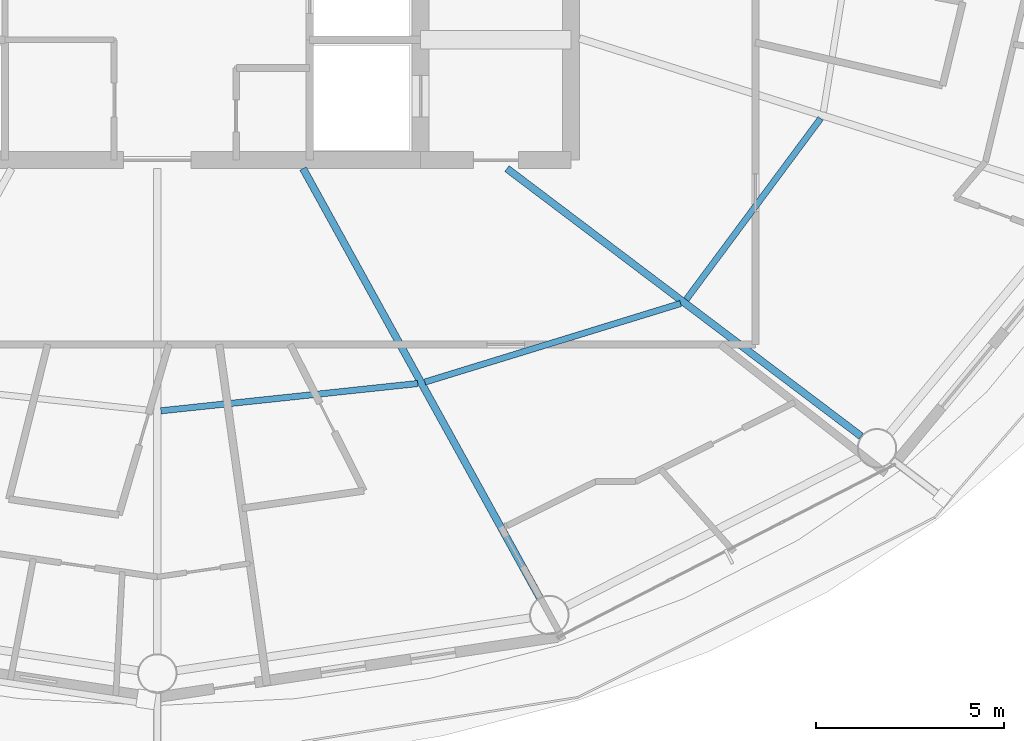
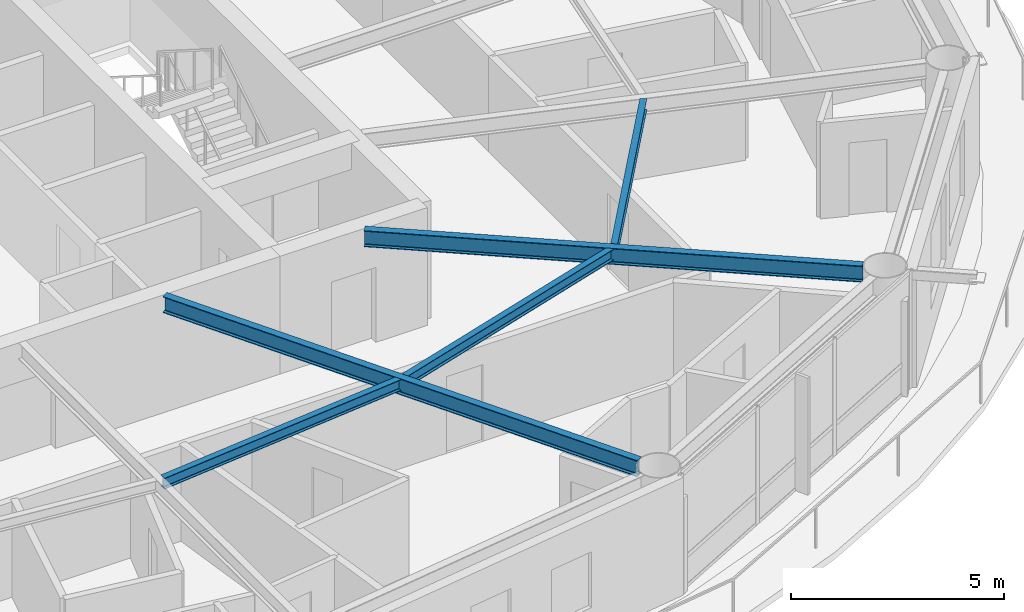
# One storey, part 6 of 29: 5 beams.
"""IFC4 building model written with IfcOpenShell, lengths in metres."""

from ifc_helpers import new_model, si_unit, direction, frame, origin, origin_2d, place, context, subcontext, project, spatial, i_section, extrude, material, material_profile, profile_set, type_object, element, save


model = new_model("IFC4")

# Units and contexts
model_context = context("Model", 3, precision=1e-05, world=origin(), true_north=direction((0.0, 1.0)))
body_context = subcontext(model_context, "Body", "Model", "MODEL_VIEW")
ifc_project = project(units=[si_unit("LENGTHUNIT", "METRE"), si_unit("AREAUNIT", "SQUARE_METRE"), si_unit("VOLUMEUNIT", "CUBIC_METRE"), si_unit("PLANEANGLEUNIT", "RADIAN"), si_unit("MASSUNIT", "GRAM", prefix="KILO")], contexts=[model_context])

# Site, building, storey
site_placement = place(None, origin())
site = spatial("IfcSite", under=ifc_project, at=site_placement, CompositionType="ELEMENT")
building_placement = place(site_placement, origin())
building = spatial("IfcBuilding", under=site, at=building_placement, Name="Sarneth Arch Tower", CompositionType="ELEMENT")
storey_placement = place(building_placement, frame((0.0, 0.0, 165.0)))
storey = spatial("IfcBuildingStorey", under=building, at=storey_placement, Name="L41", CompositionType="ELEMENT", Elevation=165.0)

# Beams
ifc_material_1 = material(Name="Steel S355", Category="steel")
ifc_material_profile_1 = material_profile(ifc_material_1, i_section(OverallWidth=0.1669921875, OverallDepth=0.31689453125, WebThickness=0.007568359375, FlangeThickness=0.01318359375, FilletRadius=0.012939453125, at=origin_2d()), Name="W310x52")
ifc_profile_set_1 = profile_set([ifc_material_profile_1], Name="Steel S355")
beam_type_1 = type_object("IfcBeamType", Name="BM-JOIST-310B", PredefinedType="JOIST", material=ifc_profile_set_1)
beam_1_placement = place(storey_placement, frame((48.095947265625, 28.53515625, 3.221435546875), z_axis=(0.994407831942, 0.105608066799, 0.0), x_axis=(-0.105608066799, 0.994407831942, 0.0)))
element("IfcBeam", 1, at=beam_1_placement, inside=storey, type_object=beam_type_1, Name="L41 Secondary floor joist 13", PredefinedType="JOIST", context=body_context, shape_type="SweptSolid", body=[
    extrude(i_section(OverallWidth=0.1669921875, OverallDepth=0.31689453125, WebThickness=0.007568359375, FlangeThickness=0.01318359375, FilletRadius=0.012939453125, at=origin_2d()), origin(), (0.0, 0.0, 1.0), 6.8681640625),
])
beam_2_placement = place(storey_placement, frame((55.114013671875, 29.299072265625, 3.221435546875), z_axis=(0.955929549608, 0.293596144707, 0.0), x_axis=(-0.293596144707, 0.955929549608, 0.0)))
element("IfcBeam", 2, at=beam_2_placement, inside=storey, type_object=beam_type_1, Name="L41 Secondary floor joist 14", PredefinedType="JOIST", context=body_context, shape_type="SweptSolid", body=[
    extrude(i_section(OverallWidth=0.1669921875, OverallDepth=0.31689453125, WebThickness=0.007568359375, FlangeThickness=0.01318359375, FilletRadius=0.012939453125, at=origin_2d()), origin(), (0.0, 0.0, 1.0), 7.1123046875),
])
beam_3_placement = place(storey_placement, frame((62.062744140625, 31.4931640625, 3.221435546875), z_axis=(0.595933334016, 0.803033910497, 0.0), x_axis=(-0.803033910497, 0.595933334016, 0.0)))
element("IfcBeam", 3, at=beam_3_placement, inside=storey, type_object=beam_type_1, Name="L41 Secondary floor joist 15", PredefinedType="JOIST", context=body_context, shape_type="SweptSolid", body=[
    extrude(i_section(OverallWidth=0.1669921875, OverallDepth=0.31689453125, WebThickness=0.007568359375, FlangeThickness=0.01318359375, FilletRadius=0.012939453125, at=origin_2d()), origin(), (0.0, 0.0, 1.0), 5.99560546875),
])
ifc_material_2 = material(Name="Steel S355", Category="steel")
ifc_material_profile_2 = material_profile(ifc_material_2, i_section(OverallWidth=0.193115234375, OverallDepth=0.466064453125, WebThickness=0.011474609375, FlangeThickness=0.01904296875, FilletRadius=0.01806640625, at=origin_2d()), Name="W460x97")
ifc_profile_set_2 = profile_set([ifc_material_profile_2], Name="Steel S355")
beam_type_2 = type_object("IfcBeamType", Name="BM-RAD-460C", PredefinedType="BEAM", material=ifc_profile_set_2)
beam_4_placement = place(storey_placement, frame((51.875, 34.97509765625, 3.14697265625), z_axis=(0.483004525121, -0.87561785541, 0.0), x_axis=(0.87561785541, 0.483004525121, 0.0)))
element("IfcBeam", 4, at=beam_4_placement, inside=storey, type_object=beam_type_2, Name="L41 Radial floor girder 14", PredefinedType="BEAM", context=body_context, shape_type="SweptSolid", body=[
    extrude(i_section(OverallWidth=0.193115234375, OverallDepth=0.466064453125, WebThickness=0.011474609375, FlangeThickness=0.01904296875, FilletRadius=0.01806640625, at=origin_2d()), origin(), (0.0, 0.0, 1.0), 13.029296875),
])
beam_5_placement = place(storey_placement, frame((57.29541015625, 34.97509765625, 3.14697265625), z_axis=(0.797786205076, -0.602940437349, 0.0), x_axis=(0.602940437349, 0.797786205076, 0.0)))
element("IfcBeam", 5, at=beam_5_placement, inside=storey, type_object=beam_type_2, Name="L41 Radial floor girder 15", PredefinedType="BEAM", context=body_context, shape_type="SweptSolid", body=[
    extrude(i_section(OverallWidth=0.193115234375, OverallDepth=0.466064453125, WebThickness=0.011474609375, FlangeThickness=0.01904296875, FilletRadius=0.01806640625, at=origin_2d()), origin(), (0.0, 0.0, 1.0), 11.806884765625),
])

save(model, "model.ifc")
